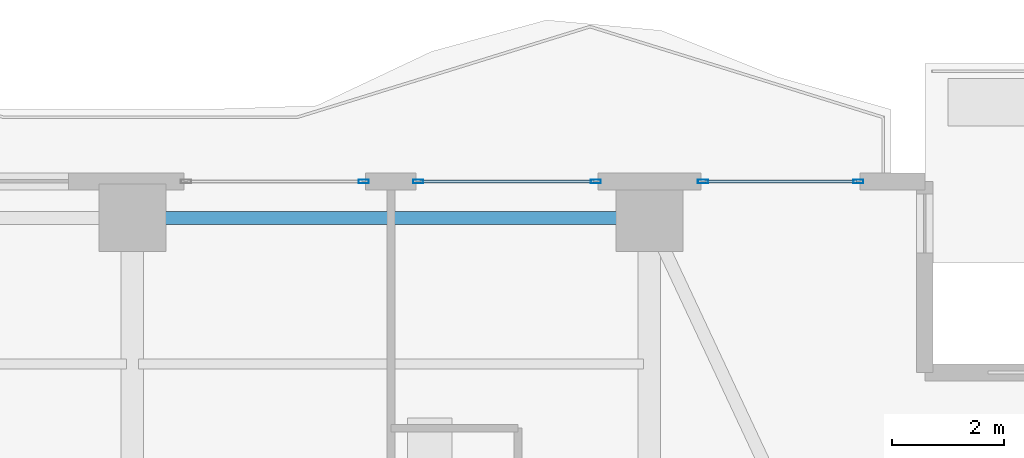
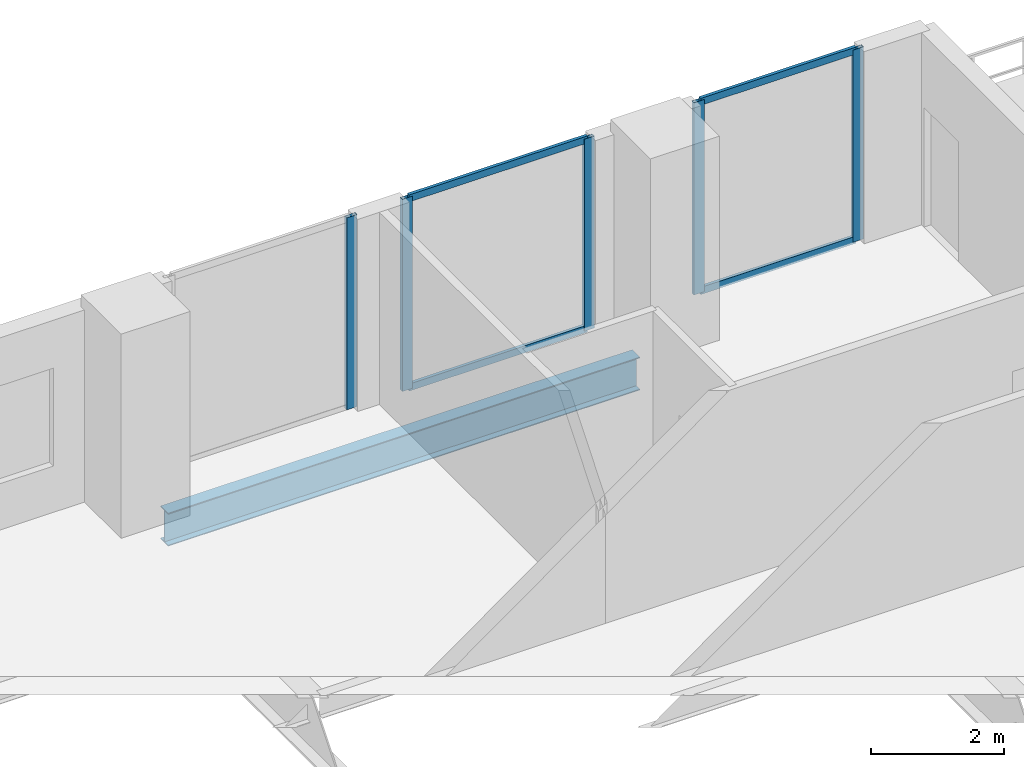
# One storey, part 23 of 33: 9 members, 1 beam, 3 elements without a shape of their own.
"""IFC4 building model written with IfcOpenShell, lengths in metres."""

from ifc_helpers import new_model, si_unit, direction, frame, origin, origin_2d, place, context, subcontext, project, spatial, hollow_rectangle, i_section, extrude, material, layer, layer_set, material_profile, profile_set, type_object, element, aggregate, save


model = new_model("IFC4")

# Units and contexts
model_context = context("Model", 3, precision=1e-05, world=origin(), true_north=direction((0.0, 1.0)))
body_context = subcontext(model_context, "Body", "Model", "MODEL_VIEW")
ifc_project = project(units=[si_unit("LENGTHUNIT", "METRE"), si_unit("AREAUNIT", "SQUARE_METRE"), si_unit("VOLUMEUNIT", "CUBIC_METRE"), si_unit("PLANEANGLEUNIT", "RADIAN"), si_unit("MASSUNIT", "GRAM", prefix="KILO")], contexts=[model_context])

# Site, building, storey
site_placement = place(None, origin())
site = spatial("IfcSite", under=ifc_project, at=site_placement, CompositionType="ELEMENT")
building_placement = place(site_placement, origin())
building = spatial("IfcBuilding", under=site, at=building_placement, Name="Zuhayl Quay Hotel", CompositionType="ELEMENT")
storey_placement = place(building_placement, frame((0.0, 0.0, 214.89990234375)))
storey = spatial("IfcBuildingStorey", under=building, at=storey_placement, Name="L54", CompositionType="ELEMENT", Elevation=214.89990234375)

# Beam
ifc_material_1 = material(Name="Steel ASTM A992 Grade 50", Category="steel")
ifc_material_profile_1 = material_profile(ifc_material_1, i_section(OverallWidth=0.22802734375, OverallDepth=0.60693359375, WebThickness=0.01123046875, FlangeThickness=0.017333984375, at=origin_2d()), Name="W24X76")
ifc_profile_set_1 = profile_set([ifc_material_profile_1], Name="Steel ASTM A992 Grade 50")
beam_type = type_object("IfcBeamType", Name="BM_B3_W24X76", PredefinedType="BEAM", material=ifc_profile_set_1)
beam_placement = place(storey_placement, frame((13.300048828125, 32.949951171875, -0.5234375), z_axis=(-1.0, 0.0, 0.0), x_axis=(0.0, -1.0, 0.0)))
element("IfcBeam", 1, at=beam_placement, inside=storey, type_object=beam_type, Name="L54 Floor Beam RG_L54_07", PredefinedType="BEAM", context=body_context, shape_type="SweptSolid", body=[
    extrude(i_section(OverallWidth=0.22802734375, OverallDepth=0.60693359375, WebThickness=0.01123046875, FlangeThickness=0.017333984375, at=origin_2d()), origin(), (0.0, 0.0, 1.0), 8.199951171875),
])

# Curtain wall, member
ifc_material_2 = material(Name="Anodised Aluminium 6063-T6", Category="aluminium")
ifc_layer = layer(ifc_material_2, 0.175048828125, Name="Anodised Aluminium 6063-T6", Category="aluminium")
ifc_layer_set = layer_set([ifc_layer], Name="Anodised Aluminium 6063-T6")
curtain_wall_type = type_object("IfcCurtainWallType", Name="CW_SYS_Z3", PredefinedType="USERDEFINED", material=ifc_layer_set)
curtain_wall_1_placement = place(storey_placement, origin())
curtain_wall_1 = element("IfcCurtainWall", 2, at=curtain_wall_1_placement, inside=storey, type_object=curtain_wall_type, Name="L54 Curtain Wall ENV_L54_N_CW5", ObjectType="UNITISED CURTAIN WALL", PredefinedType="USERDEFINED")
ifc_material_3 = material(Name="Black-anodised aluminium 6063-T6", Category="aluminium")
ifc_material_profile_2 = material_profile(ifc_material_3, hollow_rectangle(XDim=0.06494140625, YDim=0.179931640625, WallThickness=0.00341796875, at=origin_2d()), Name="ALU180X65")
ifc_profile_set_2 = profile_set([ifc_material_profile_2], Name="Black-anodised aluminium 6063-T6")
member_type_1 = type_object("IfcMemberType", Name="MB_CW_MUL_180", PredefinedType="MULLION", material=ifc_profile_set_2)
member_1_placement = place(storey_placement, frame((8.717529296875, 33.60009765625, 0.0), z_axis=(0.0, 0.0, 1.0), x_axis=(0.0, 1.0, 0.0)))
member_1 = element("IfcMember", 3, at=member_1_placement, type_object=member_type_1, Name="CW-Z3 mullion 2", PredefinedType="MULLION", context=body_context, shape_type="SweptSolid", body=[
    extrude(hollow_rectangle(XDim=0.06494140625, YDim=0.179931640625, WallThickness=0.00341796875, at=origin_2d()), origin(), (0.0, 0.0, 1.0), 3.530029296875),
])
aggregate(curtain_wall_1, [member_1])

# Curtain wall, members
curtain_wall_2_placement = place(storey_placement, origin())
curtain_wall_2 = element("IfcCurtainWall", 4, at=curtain_wall_2_placement, inside=storey, type_object=curtain_wall_type, Name="L54 Curtain Wall ENV_L54_N_CW6", ObjectType="UNITISED CURTAIN WALL", PredefinedType="USERDEFINED")
member_2_placement = place(storey_placement, frame((9.6826171875, 33.60009765625, 0.0), z_axis=(0.0, 0.0, 1.0), x_axis=(0.0, 1.0, 0.0)))
member_2 = element("IfcMember", 5, at=member_2_placement, type_object=member_type_1, Name="CW-Z3 mullion 1", PredefinedType="MULLION", context=body_context, shape_type="SweptSolid", body=[
    extrude(hollow_rectangle(XDim=0.06494140625, YDim=0.179931640625, WallThickness=0.00341796875, at=origin_2d()), origin(), (0.0, 0.0, 1.0), 3.530029296875),
])
member_3_placement = place(storey_placement, frame((12.847412109375, 33.60009765625, 0.0), z_axis=(0.0, 0.0, 1.0), x_axis=(0.0, 1.0, 0.0)))
member_3 = element("IfcMember", 6, at=member_3_placement, type_object=member_type_1, Name="CW-Z3 mullion 2", PredefinedType="MULLION", context=body_context, shape_type="SweptSolid", body=[
    extrude(hollow_rectangle(XDim=0.06494140625, YDim=0.179931640625, WallThickness=0.00341796875, at=origin_2d()), origin(), (0.0, 0.0, 1.0), 3.530029296875),
])

curtain_wall_3_placement = place(storey_placement, origin())
curtain_wall_3 = element("IfcCurtainWall", 7, at=curtain_wall_3_placement, inside=storey, type_object=curtain_wall_type, Name="L54 Curtain Wall ENV_L54_N_CW7", ObjectType="UNITISED CURTAIN WALL", PredefinedType="USERDEFINED")
member_4_placement = place(storey_placement, frame((14.75244140625, 33.60009765625, 0.0), z_axis=(0.0, 0.0, 1.0), x_axis=(0.0, 1.0, 0.0)))
member_4 = element("IfcMember", 8, at=member_4_placement, type_object=member_type_1, Name="CW-Z3 mullion 1", PredefinedType="MULLION", context=body_context, shape_type="SweptSolid", body=[
    extrude(hollow_rectangle(XDim=0.06494140625, YDim=0.179931640625, WallThickness=0.00341796875, at=origin_2d()), origin(), (0.0, 0.0, 1.0), 3.530029296875),
])
member_5_placement = place(storey_placement, frame((17.517578125, 33.60009765625, 0.0), z_axis=(0.0, 0.0, 1.0), x_axis=(0.0, 1.0, 0.0)))
member_5 = element("IfcMember", 9, at=member_5_placement, type_object=member_type_1, Name="CW-Z3 mullion 2", PredefinedType="MULLION", context=body_context, shape_type="SweptSolid", body=[
    extrude(hollow_rectangle(XDim=0.06494140625, YDim=0.179931640625, WallThickness=0.00341796875, at=origin_2d()), origin(), (0.0, 0.0, 1.0), 3.530029296875),
])

# Member
ifc_material_profile_3 = material_profile(ifc_material_3, hollow_rectangle(XDim=0.054931640625, YDim=0.1298828125, WallThickness=0.0029296875, at=origin_2d()), Name="ALU130X55")
ifc_profile_set_3 = profile_set([ifc_material_profile_3], Name="Black-anodised aluminium 6063-T6")
member_type_2 = type_object("IfcMemberType", Name="MB_CW_TRN_130", PredefinedType="USERDEFINED", material=ifc_profile_set_3)
member_6_placement = place(storey_placement, frame((9.715087890625, 33.60009765625, 0.027587890625), z_axis=(1.0, 0.0, 0.0), x_axis=(0.0, 1.0, 0.0)))
member_6 = element("IfcMember", 10, at=member_6_placement, type_object=member_type_2, Name="CW-Z3 transom 1.1", ObjectType="TRANSOM", PredefinedType="USERDEFINED", context=body_context, shape_type="SweptSolid", body=[
    extrude(hollow_rectangle(XDim=0.054931640625, YDim=0.1298828125, WallThickness=0.0029296875, at=origin_2d()), origin(), (0.0, 0.0, 1.0), 3.099853515625),
])

member_7_placement = place(storey_placement, frame((9.715087890625, 33.60009765625, 3.502685546875), z_axis=(1.0, 0.0, 0.0), x_axis=(0.0, 1.0, 0.0)))
member_7 = element("IfcMember", 11, at=member_7_placement, type_object=member_type_2, Name="CW-Z3 transom 1.2", ObjectType="TRANSOM", PredefinedType="USERDEFINED", context=body_context, shape_type="SweptSolid", body=[
    extrude(hollow_rectangle(XDim=0.054931640625, YDim=0.1298828125, WallThickness=0.0029296875, at=origin_2d()), origin(), (0.0, 0.0, 1.0), 3.099853515625),
])

aggregate(curtain_wall_2, [member_2, member_3, member_6, member_7])

member_8_placement = place(storey_placement, frame((14.784912109375, 33.60009765625, 0.027587890625), z_axis=(1.0, 0.0, 0.0), x_axis=(0.0, 1.0, 0.0)))
member_8 = element("IfcMember", 12, at=member_8_placement, type_object=member_type_2, Name="CW-Z3 transom 1.1", ObjectType="TRANSOM", PredefinedType="USERDEFINED", context=body_context, shape_type="SweptSolid", body=[
    extrude(hollow_rectangle(XDim=0.054931640625, YDim=0.1298828125, WallThickness=0.0029296875, at=origin_2d()), origin(), (0.0, 0.0, 1.0), 2.7001953125),
])

member_9_placement = place(storey_placement, frame((14.784912109375, 33.60009765625, 3.502685546875), z_axis=(1.0, 0.0, 0.0), x_axis=(0.0, 1.0, 0.0)))
member_9 = element("IfcMember", 13, at=member_9_placement, type_object=member_type_2, Name="CW-Z3 transom 1.2", ObjectType="TRANSOM", PredefinedType="USERDEFINED", context=body_context, shape_type="SweptSolid", body=[
    extrude(hollow_rectangle(XDim=0.054931640625, YDim=0.1298828125, WallThickness=0.0029296875, at=origin_2d()), origin(), (0.0, 0.0, 1.0), 2.7001953125),
])

aggregate(curtain_wall_3, [member_4, member_5, member_8, member_9])

save(model, "model.ifc")
